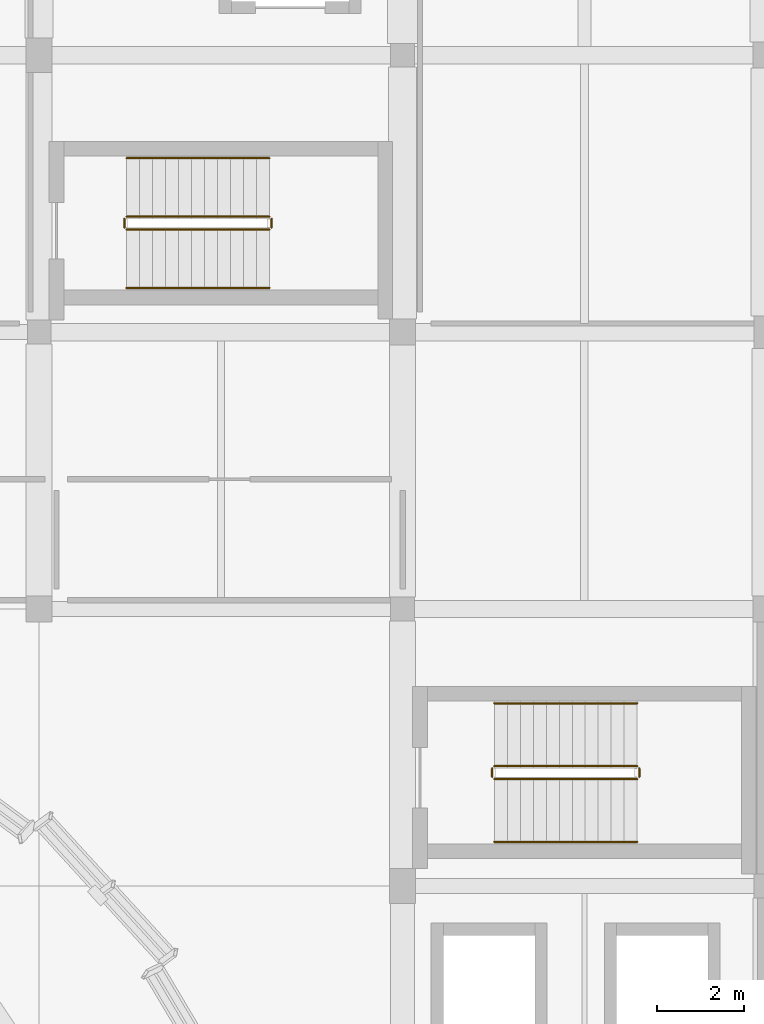
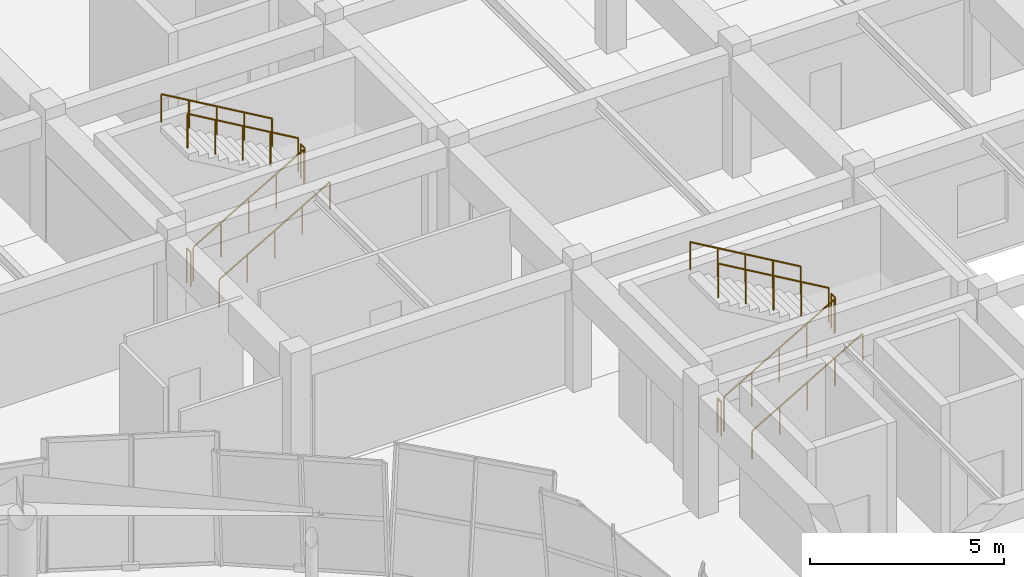
# One storey, part 39 of 40: 12 railings.
"""IFC4 building model written with IfcOpenShell, lengths in metres."""

from ifc_helpers import new_model, si_unit, direction, frame, origin, origin_2d, place, context, subcontext, project, spatial, circle, extrude, material, type_object, element, save


model = new_model("IFC4")

# Units and contexts
model_context = context("Model", 3, precision=1e-05, world=origin(), true_north=direction((0.0, 1.0)))
body_context = subcontext(model_context, "Body", "Model", "MODEL_VIEW")
ifc_project = project(units=[si_unit("LENGTHUNIT", "METRE"), si_unit("AREAUNIT", "SQUARE_METRE"), si_unit("VOLUMEUNIT", "CUBIC_METRE"), si_unit("PLANEANGLEUNIT", "RADIAN"), si_unit("MASSUNIT", "GRAM", prefix="KILO")], contexts=[model_context])

# Site, building, storey
site_placement = place(None, origin())
site = spatial("IfcSite", under=ifc_project, at=site_placement, CompositionType="ELEMENT")
building_placement = place(site_placement, origin())
building = spatial("IfcBuilding", under=site, at=building_placement, Name="Korsvaeld Concert Hall", CompositionType="ELEMENT")
storey_placement = place(building_placement, frame((0.0, 0.0, 13.199951171875)))
storey = spatial("IfcBuildingStorey", under=building, at=storey_placement, Name="L03", CompositionType="ELEMENT", Elevation=13.199951171875)

# Railings
ifc_material_1 = material(Name="Powder-coated steel and bronze stair guardrail", Category="steel")
railing_type_1 = type_object("IfcRailingType", Name="RL-STAIR-GUARD-120", PredefinedType="GUARDRAIL", material=ifc_material_1)
railing_1_placement = place(storey_placement, frame((111.320068359375, 79.27001953125, 0.175048828125)))
element("IfcRailing", 1, at=railing_1_placement, inside=storey, type_object=railing_type_1, Name="L03 ST-K2 stair guard 1", PredefinedType="GUARDRAIL", context=body_context, shape_type="SweptSolid", body=[
    extrude(circle(Radius=0.02392578125, at=origin_2d()), frame((0.0, 0.0, 1.076171875), z_axis=(0.863776583165, 0.0, 0.503874998761), x_axis=(0.0, 1.0, 0.0)), (0.0, 0.0, 1.0), 3.820556640625),
    extrude(circle(Radius=0.02099609375, at=origin_2d()), origin(), (0.0, 0.0, 1.0), 1.052001953125),
    extrude(circle(Radius=0.02099609375, at=origin_2d()), frame((0.824951171875, 0.0, 0.481201171875)), (0.0, 0.0, 1.0), 1.052001953125),
    extrude(circle(Radius=0.02099609375, at=origin_2d()), frame((1.64990234375, 0.0, 0.96240234375)), (0.0, 0.0, 1.0), 1.052001953125),
    extrude(circle(Radius=0.02099609375, at=origin_2d()), frame((2.47509765625, 0.0, 1.44384765625)), (0.0, 0.0, 1.0), 1.052001953125),
    extrude(circle(Radius=0.02099609375, at=origin_2d()), frame((3.300048828125, 0.0, 1.925048828125)), (0.0, 0.0, 1.0), 1.052001953125),
])
railing_2_placement = place(storey_placement, frame((114.669921875, 79.320068359375, 2.10009765625)))
element("IfcRailing", 2, at=railing_2_placement, inside=storey, type_object=railing_type_1, Name="L03 ST-K2 stair guard 2", PredefinedType="GUARDRAIL", context=body_context, shape_type="SweptSolid", body=[
    extrude(circle(Radius=0.02392578125, at=origin_2d()), frame((0.0, 0.0, 1.076171875), z_axis=(0.0, 1.0, 0.0), x_axis=(-1.0, 0.0, 0.0)), (0.0, 0.0, 1.0), 0.199951171875),
    extrude(circle(Radius=0.02099609375, at=origin_2d()), origin(), (0.0, 0.0, 1.0), 1.052001953125),
    extrude(circle(Radius=0.02099609375, at=origin_2d()), frame((0.0, 0.199951171875, 0.0)), (0.0, 0.0, 1.0), 1.052001953125),
])
railing_3_placement = place(storey_placement, frame((114.6201171875, 79.570068359375, 2.275146484375)))
element("IfcRailing", 3, at=railing_3_placement, inside=storey, type_object=railing_type_1, Name="L03 ST-K2 stair guard 3", PredefinedType="GUARDRAIL", context=body_context, shape_type="SweptSolid", body=[
    extrude(circle(Radius=0.02392578125, at=origin_2d()), frame((0.0, 0.0, 1.076171875), z_axis=(-0.863804395585, 0.0, 0.503827317807), x_axis=(0.0, -1.0, 0.0)), (0.0, 0.0, 1.0), 3.8203125),
    extrude(circle(Radius=0.02099609375, at=origin_2d()), origin(), (0.0, 0.0, 1.0), 1.052001953125),
    extrude(circle(Radius=0.02099609375, at=origin_2d()), frame((-0.824951171875, 0.0, 0.481201171875)), (0.0, 0.0, 1.0), 1.052001953125),
    extrude(circle(Radius=0.02099609375, at=origin_2d()), frame((-1.64990234375, 0.0, 0.96240234375)), (0.0, 0.0, 1.0), 1.052001953125),
    extrude(circle(Radius=0.02099609375, at=origin_2d()), frame((-2.47509765625, 0.0, 1.443603515625)), (0.0, 0.0, 1.0), 1.052001953125),
    extrude(circle(Radius=0.02099609375, at=origin_2d()), frame((-3.300048828125, 0.0, 1.9248046875)), (0.0, 0.0, 1.0), 1.052001953125),
])
railing_4_placement = place(storey_placement, frame((111.27001953125, 79.320068359375, 0.0)))
element("IfcRailing", 4, at=railing_4_placement, inside=storey, type_object=railing_type_1, Name="L03 ST-K2 stair guard 4", PredefinedType="GUARDRAIL", context=body_context, shape_type="SweptSolid", body=[
    extrude(circle(Radius=0.02392578125, at=origin_2d()), frame((0.0, 0.0, 1.076171875), z_axis=(0.0, 1.0, 0.0), x_axis=(-1.0, 0.0, 0.0)), (0.0, 0.0, 1.0), 0.199951171875),
    extrude(circle(Radius=0.02099609375, at=origin_2d()), origin(), (0.0, 0.0, 1.0), 1.052001953125),
    extrude(circle(Radius=0.02099609375, at=origin_2d()), frame((0.0, 0.199951171875, 0.0)), (0.0, 0.0, 1.0), 1.052001953125),
])
railing_5_placement = place(storey_placement, frame((102.820068359375, 91.969970703125, 0.175048828125)))
element("IfcRailing", 5, at=railing_5_placement, inside=storey, type_object=railing_type_1, Name="L03 ST-K6 stair guard 1", PredefinedType="GUARDRAIL", context=body_context, shape_type="SweptSolid", body=[
    extrude(circle(Radius=0.02392578125, at=origin_2d()), frame((0.0, 0.0, 1.076171875), z_axis=(0.863776583165, 0.0, 0.503874998761), x_axis=(0.0, 1.0, 0.0)), (0.0, 0.0, 1.0), 3.820556640625),
    extrude(circle(Radius=0.02099609375, at=origin_2d()), origin(), (0.0, 0.0, 1.0), 1.052001953125),
    extrude(circle(Radius=0.02099609375, at=origin_2d()), frame((0.824951171875, 0.0, 0.481201171875)), (0.0, 0.0, 1.0), 1.052001953125),
    extrude(circle(Radius=0.02099609375, at=origin_2d()), frame((1.64990234375, 0.0, 0.96240234375)), (0.0, 0.0, 1.0), 1.052001953125),
    extrude(circle(Radius=0.02099609375, at=origin_2d()), frame((2.47509765625, 0.0, 1.44384765625)), (0.0, 0.0, 1.0), 1.052001953125),
    extrude(circle(Radius=0.02099609375, at=origin_2d()), frame((3.300048828125, 0.0, 1.925048828125)), (0.0, 0.0, 1.0), 1.052001953125),
])
railing_6_placement = place(storey_placement, frame((106.169921875, 92.02001953125, 2.10009765625)))
element("IfcRailing", 6, at=railing_6_placement, inside=storey, type_object=railing_type_1, Name="L03 ST-K6 stair guard 2", PredefinedType="GUARDRAIL", context=body_context, shape_type="SweptSolid", body=[
    extrude(circle(Radius=0.02392578125, at=origin_2d()), frame((0.0, 0.0, 1.076171875), z_axis=(0.0, 1.0, 0.0), x_axis=(-1.0, 0.0, 0.0)), (0.0, 0.0, 1.0), 0.199951171875),
    extrude(circle(Radius=0.02099609375, at=origin_2d()), origin(), (0.0, 0.0, 1.0), 1.052001953125),
    extrude(circle(Radius=0.02099609375, at=origin_2d()), frame((0.0, 0.199951171875, 0.0)), (0.0, 0.0, 1.0), 1.052001953125),
])
railing_7_placement = place(storey_placement, frame((106.1201171875, 92.27001953125, 2.275146484375)))
element("IfcRailing", 7, at=railing_7_placement, inside=storey, type_object=railing_type_1, Name="L03 ST-K6 stair guard 3", PredefinedType="GUARDRAIL", context=body_context, shape_type="SweptSolid", body=[
    extrude(circle(Radius=0.02392578125, at=origin_2d()), frame((0.0, 0.0, 1.076171875), z_axis=(-0.863804395585, 0.0, 0.503827317807), x_axis=(0.0, -1.0, 0.0)), (0.0, 0.0, 1.0), 3.8203125),
    extrude(circle(Radius=0.02099609375, at=origin_2d()), origin(), (0.0, 0.0, 1.0), 1.052001953125),
    extrude(circle(Radius=0.02099609375, at=origin_2d()), frame((-0.824951171875, 0.0, 0.481201171875)), (0.0, 0.0, 1.0), 1.052001953125),
    extrude(circle(Radius=0.02099609375, at=origin_2d()), frame((-1.64990234375, 0.0, 0.96240234375)), (0.0, 0.0, 1.0), 1.052001953125),
    extrude(circle(Radius=0.02099609375, at=origin_2d()), frame((-2.47509765625, 0.0, 1.443603515625)), (0.0, 0.0, 1.0), 1.052001953125),
    extrude(circle(Radius=0.02099609375, at=origin_2d()), frame((-3.300048828125, 0.0, 1.9248046875)), (0.0, 0.0, 1.0), 1.052001953125),
])
railing_8_placement = place(storey_placement, frame((102.77001953125, 92.02001953125, 0.0)))
element("IfcRailing", 8, at=railing_8_placement, inside=storey, type_object=railing_type_1, Name="L03 ST-K6 stair guard 4", PredefinedType="GUARDRAIL", context=body_context, shape_type="SweptSolid", body=[
    extrude(circle(Radius=0.02392578125, at=origin_2d()), frame((0.0, 0.0, 1.076171875), z_axis=(0.0, 1.0, 0.0), x_axis=(-1.0, 0.0, 0.0)), (0.0, 0.0, 1.0), 0.199951171875),
    extrude(circle(Radius=0.02099609375, at=origin_2d()), origin(), (0.0, 0.0, 1.0), 1.052001953125),
    extrude(circle(Radius=0.02099609375, at=origin_2d()), frame((0.0, 0.199951171875, 0.0)), (0.0, 0.0, 1.0), 1.052001953125),
])
ifc_material_2 = material(Name="European oak and bronze stair handrail")
railing_type_2 = type_object("IfcRailingType", Name="RL-STAIR-HAND-90", PredefinedType="HANDRAIL", material=ifc_material_2)
railing_9_placement = place(storey_placement, frame((111.320068359375, 77.820068359375, 0.175048828125)))
element("IfcRailing", 9, at=railing_9_placement, inside=storey, type_object=railing_type_2, Name="L03 ST-K2 stair handrail 1", PredefinedType="HANDRAIL", context=body_context, shape_type="SweptSolid", body=[
    extrude(circle(Radius=0.02392578125, at=origin_2d()), frame((0.0, 0.0, 0.8759765625), z_axis=(0.863776583165, 0.0, 0.503874998761), x_axis=(0.0, 1.0, 0.0)), (0.0, 0.0, 1.0), 3.820556640625),
    extrude(circle(Radius=0.02099609375, at=origin_2d()), origin(), (0.0, 0.0, 1.0), 0.851806640625),
    extrude(circle(Radius=0.02099609375, at=origin_2d()), frame((0.824951171875, 0.0, 0.481201171875)), (0.0, 0.0, 1.0), 0.851806640625),
    extrude(circle(Radius=0.02099609375, at=origin_2d()), frame((1.64990234375, 0.0, 0.96240234375)), (0.0, 0.0, 1.0), 0.851806640625),
    extrude(circle(Radius=0.02099609375, at=origin_2d()), frame((2.47509765625, 0.0, 1.44384765625)), (0.0, 0.0, 1.0), 0.851806640625),
    extrude(circle(Radius=0.02099609375, at=origin_2d()), frame((3.300048828125, 0.0, 1.925048828125)), (0.0, 0.0, 1.0), 0.851806640625),
])
railing_10_placement = place(storey_placement, frame((114.6201171875, 81.02001953125, 2.275146484375)))
element("IfcRailing", 10, at=railing_10_placement, inside=storey, type_object=railing_type_2, Name="L03 ST-K2 stair handrail 2", PredefinedType="HANDRAIL", context=body_context, shape_type="SweptSolid", body=[
    extrude(circle(Radius=0.02392578125, at=origin_2d()), frame((0.0, 0.0, 0.8759765625), z_axis=(-0.863804395585, 0.0, 0.503827317807), x_axis=(0.0, -1.0, 0.0)), (0.0, 0.0, 1.0), 3.8203125),
    extrude(circle(Radius=0.02099609375, at=origin_2d()), origin(), (0.0, 0.0, 1.0), 0.851806640625),
    extrude(circle(Radius=0.02099609375, at=origin_2d()), frame((-0.824951171875, 0.0, 0.481201171875)), (0.0, 0.0, 1.0), 0.851806640625),
    extrude(circle(Radius=0.02099609375, at=origin_2d()), frame((-1.64990234375, 0.0, 0.96240234375)), (0.0, 0.0, 1.0), 0.851806640625),
    extrude(circle(Radius=0.02099609375, at=origin_2d()), frame((-2.47509765625, 0.0, 1.443603515625)), (0.0, 0.0, 1.0), 0.851806640625),
    extrude(circle(Radius=0.02099609375, at=origin_2d()), frame((-3.300048828125, 0.0, 1.9248046875)), (0.0, 0.0, 1.0), 0.851806640625),
])
railing_11_placement = place(storey_placement, frame((102.820068359375, 90.6201171875, 0.175048828125)))
element("IfcRailing", 11, at=railing_11_placement, inside=storey, type_object=railing_type_2, Name="L03 ST-K6 stair handrail 1", PredefinedType="HANDRAIL", context=body_context, shape_type="SweptSolid", body=[
    extrude(circle(Radius=0.02392578125, at=origin_2d()), frame((0.0, 0.0, 0.8759765625), z_axis=(0.863776583165, 0.0, 0.503874998761), x_axis=(0.0, 1.0, 0.0)), (0.0, 0.0, 1.0), 3.820556640625),
    extrude(circle(Radius=0.02099609375, at=origin_2d()), origin(), (0.0, 0.0, 1.0), 0.851806640625),
    extrude(circle(Radius=0.02099609375, at=origin_2d()), frame((0.824951171875, 0.0, 0.481201171875)), (0.0, 0.0, 1.0), 0.851806640625),
    extrude(circle(Radius=0.02099609375, at=origin_2d()), frame((1.64990234375, 0.0, 0.96240234375)), (0.0, 0.0, 1.0), 0.851806640625),
    extrude(circle(Radius=0.02099609375, at=origin_2d()), frame((2.47509765625, 0.0, 1.44384765625)), (0.0, 0.0, 1.0), 0.851806640625),
    extrude(circle(Radius=0.02099609375, at=origin_2d()), frame((3.300048828125, 0.0, 1.925048828125)), (0.0, 0.0, 1.0), 0.851806640625),
])
railing_12_placement = place(storey_placement, frame((106.1201171875, 93.6201171875, 2.275146484375)))
element("IfcRailing", 12, at=railing_12_placement, inside=storey, type_object=railing_type_2, Name="L03 ST-K6 stair handrail 2", PredefinedType="HANDRAIL", context=body_context, shape_type="SweptSolid", body=[
    extrude(circle(Radius=0.02392578125, at=origin_2d()), frame((0.0, 0.0, 0.8759765625), z_axis=(-0.863804395585, 0.0, 0.503827317807), x_axis=(0.0, -1.0, 0.0)), (0.0, 0.0, 1.0), 3.8203125),
    extrude(circle(Radius=0.02099609375, at=origin_2d()), origin(), (0.0, 0.0, 1.0), 0.851806640625),
    extrude(circle(Radius=0.02099609375, at=origin_2d()), frame((-0.824951171875, 0.0, 0.481201171875)), (0.0, 0.0, 1.0), 0.851806640625),
    extrude(circle(Radius=0.02099609375, at=origin_2d()), frame((-1.64990234375, 0.0, 0.96240234375)), (0.0, 0.0, 1.0), 0.851806640625),
    extrude(circle(Radius=0.02099609375, at=origin_2d()), frame((-2.47509765625, 0.0, 1.443603515625)), (0.0, 0.0, 1.0), 0.851806640625),
    extrude(circle(Radius=0.02099609375, at=origin_2d()), frame((-3.300048828125, 0.0, 1.9248046875)), (0.0, 0.0, 1.0), 0.851806640625),
])

save(model, "model.ifc")
